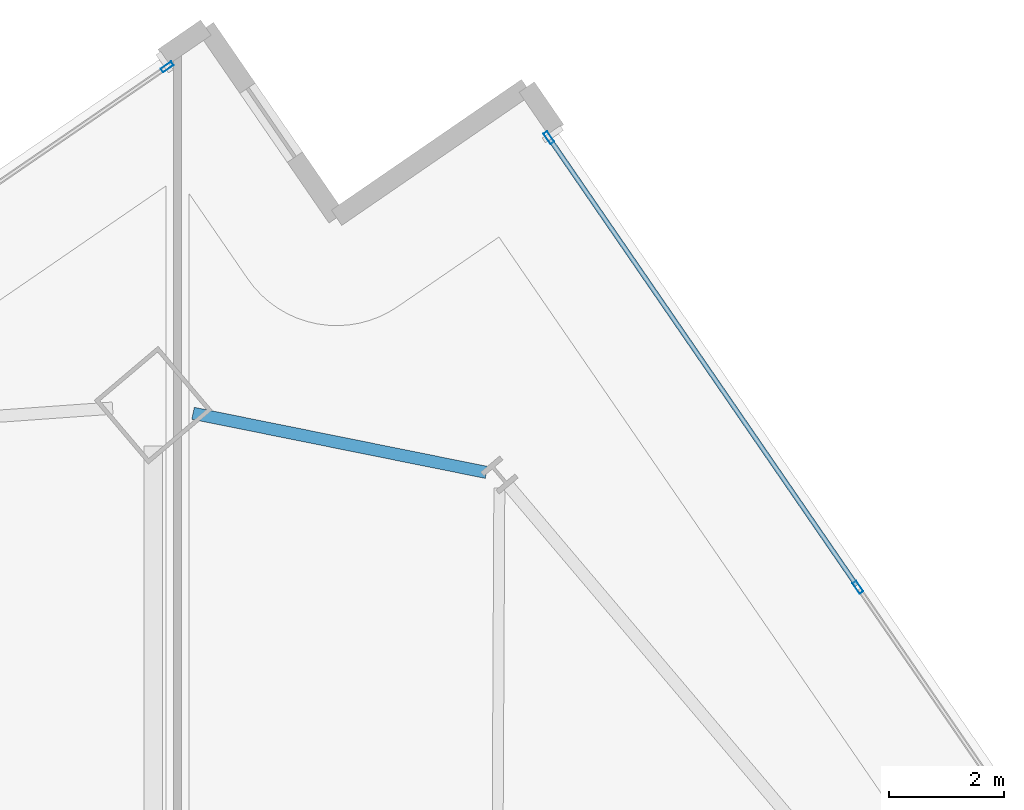
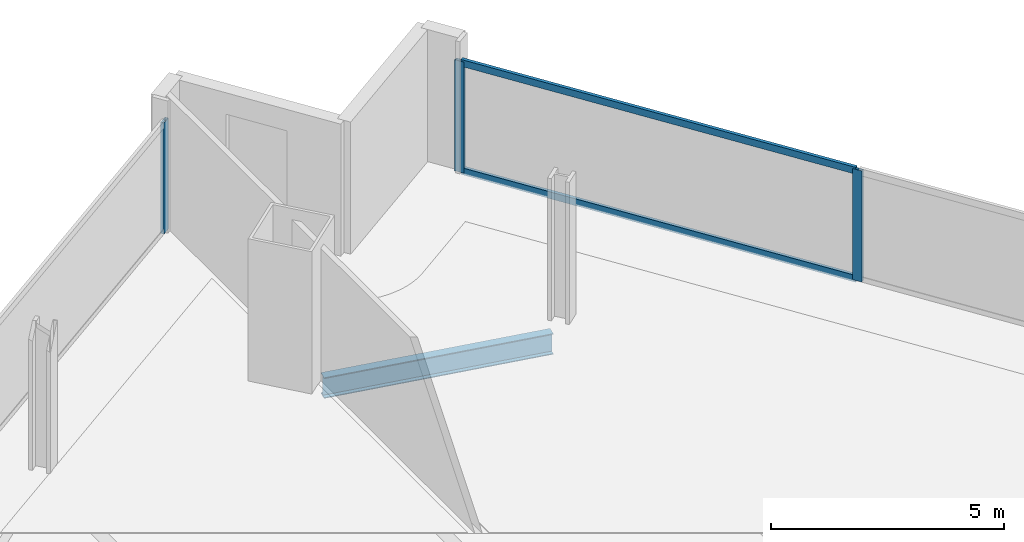
# One storey, part 19 of 29: 5 members, 1 beam, 2 elements without a shape of their own.
"""IFC4 building model written with IfcOpenShell, lengths in metres."""

from ifc_helpers import new_model, si_unit, direction, frame, origin, origin_2d, place, context, subcontext, project, spatial, hollow_rectangle, i_section, extrude, material, material_profile, profile_set, type_object, element, aggregate, save


model = new_model("IFC4")

# Units and contexts
model_context = context("Model", 3, precision=1e-05, world=origin(), true_north=direction((0.0, 1.0)))
body_context = subcontext(model_context, "Body", "Model", "MODEL_VIEW")
ifc_project = project(units=[si_unit("LENGTHUNIT", "METRE"), si_unit("AREAUNIT", "SQUARE_METRE"), si_unit("VOLUMEUNIT", "CUBIC_METRE"), si_unit("PLANEANGLEUNIT", "RADIAN"), si_unit("MASSUNIT", "GRAM", prefix="KILO")], contexts=[model_context])

# Site, building, storey
site_placement = place(None, origin())
site = spatial("IfcSite", under=ifc_project, at=site_placement, CompositionType="ELEMENT")
building_placement = place(site_placement, origin())
building = spatial("IfcBuilding", under=site, at=building_placement, Name="Haldenkirk Collegiate Tower", CompositionType="ELEMENT")
storey_placement = place(building_placement, frame((0.0, 0.0, 144.449951171875)))
storey = spatial("IfcBuildingStorey", under=building, at=storey_placement, Name="L35", CompositionType="ELEMENT", Elevation=144.449951171875)

# Beam
ifc_material_1 = material(Name="Steel ASTM A992 Grade 50", Category="steel")
ifc_material_profile_1 = material_profile(ifc_material_1, i_section(OverallWidth=0.2119140625, OverallDepth=0.5439453125, WebThickness=0.01318359375, FlangeThickness=0.021240234375, at=origin_2d()), Name="W21X83")
ifc_profile_set_1 = profile_set([ifc_material_profile_1], Name="Steel ASTM A992 Grade 50")
beam_type = type_object("IfcBeamType", Name="BM-SPANDREL-W21X83", PredefinedType="SPANDREL", material=ifc_profile_set_1)
beam_placement = place(storey_placement, frame((44.85546875, 49.910400390625, -0.56201171875), z_axis=(-0.980286465062, 0.197581493102, 0.0), x_axis=(-0.197581493102, -0.980286465062, 0.0)))
element("IfcBeam", 1, at=beam_placement, inside=storey, type_object=beam_type, Name="L35 perimeter spandrel beam 08", PredefinedType="SPANDREL", context=body_context, shape_type="SweptSolid", body=[
    extrude(i_section(OverallWidth=0.2119140625, OverallDepth=0.5439453125, WebThickness=0.01318359375, FlangeThickness=0.021240234375, at=origin_2d()), origin(), (0.0, 0.0, 1.0), 5.189697265625),
])

# Curtain wall, members
ifc_material_2 = material(Name="Anodised architectural bronze aluminium", Category="aluminium")
curtain_wall_type = type_object("IfcCurtainWallType", Name="CW-SYS1-CONVEX-LOW", PredefinedType="USERDEFINED", material=ifc_material_2)
curtain_wall_1_placement = place(storey_placement, origin())
curtain_wall_1 = element("IfcCurtainWall", 2, at=curtain_wall_1_placement, inside=storey, type_object=curtain_wall_type, Name="L35 Lower tower convex bronze-framed unitised curtain wall", ObjectType="UNITISED CURTAIN WALL", PredefinedType="USERDEFINED")
ifc_material_profile_2 = material_profile(ifc_material_2, hollow_rectangle(XDim=0.080078125, YDim=0.219970703125, WallThickness=0.0048828125, at=origin_2d()), Name="CW-MUL-1A")
ifc_profile_set_2 = profile_set([ifc_material_profile_2], Name="Anodised architectural bronze aluminium")
member_type_1 = type_object("IfcMemberType", Name="CW-MUL-1A", PredefinedType="MULLION", material=ifc_profile_set_2)
member_1_placement = place(storey_placement, frame((45.937255859375, 55.71435546875, 0.0), z_axis=(0.0, 0.0, 1.0), x_axis=(0.824126683962, 0.5664055162, 0.0)))
member_1 = element("IfcMember", 3, at=member_1_placement, type_object=member_type_1, Name="CW-1A mullion 1", PredefinedType="MULLION", context=body_context, shape_type="SweptSolid", body=[
    extrude(hollow_rectangle(XDim=0.080078125, YDim=0.219970703125, WallThickness=0.0048828125, at=origin_2d()), origin(), (0.0, 0.0, 1.0), 2.9111328125),
])
member_2_placement = place(storey_placement, frame((51.29541015625, 47.918212890625, 0.0), z_axis=(0.0, 0.0, 1.0), x_axis=(0.824126683962, 0.5664055162, 0.0)))
member_2 = element("IfcMember", 4, at=member_2_placement, type_object=member_type_1, Name="CW-1A mullion 2", PredefinedType="MULLION", context=body_context, shape_type="SweptSolid", body=[
    extrude(hollow_rectangle(XDim=0.080078125, YDim=0.219970703125, WallThickness=0.0048828125, at=origin_2d()), origin(), (0.0, 0.0, 1.0), 2.9111328125),
])

# Curtain wall, member
curtain_wall_2_placement = place(storey_placement, origin())
curtain_wall_2 = element("IfcCurtainWall", 5, at=curtain_wall_2_placement, inside=storey, type_object=curtain_wall_type, Name="L35 Lower tower convex bronze-framed unitised curtain wall", ObjectType="UNITISED CURTAIN WALL", PredefinedType="USERDEFINED")
member_3_placement = place(storey_placement, frame((39.318359375, 56.941162109375, 0.0), z_axis=(0.0, 0.0, 1.0), x_axis=(-0.566404944893, 0.82412707661, 0.0)))
member_3 = element("IfcMember", 6, at=member_3_placement, type_object=member_type_1, Name="CW-1A mullion 5", PredefinedType="MULLION", context=body_context, shape_type="SweptSolid", body=[
    extrude(hollow_rectangle(XDim=0.080078125, YDim=0.219970703125, WallThickness=0.0048828125, at=origin_2d()), origin(), (0.0, 0.0, 1.0), 2.9111328125),
])
aggregate(curtain_wall_2, [member_3])

# Member
ifc_material_profile_3 = material_profile(ifc_material_2, hollow_rectangle(XDim=0.080078125, YDim=0.179931640625, WallThickness=0.0048828125, at=origin_2d()), Name="CW-TRN-1A")
ifc_profile_set_3 = profile_set([ifc_material_profile_3], Name="Anodised architectural bronze aluminium")
member_type_2 = type_object("IfcMemberType", Name="CW-TRN-1A", PredefinedType="USERDEFINED", material=ifc_profile_set_3)
member_4_placement = place(storey_placement, frame((45.9599609375, 55.681396484375, 0.0400390625), z_axis=(0.566399572463, -0.82413076894, 0.0), x_axis=(0.82413076894, 0.566399572463, 0.0)))
member_4 = element("IfcMember", 7, at=member_4_placement, type_object=member_type_2, Name="CW-1A transom 1.1", ObjectType="TRANSOM", PredefinedType="USERDEFINED", context=body_context, shape_type="SweptSolid", body=[
    extrude(hollow_rectangle(XDim=0.080078125, YDim=0.179931640625, WallThickness=0.0048828125, at=origin_2d()), origin(), (0.0, 0.0, 1.0), 9.3798828125),
])

member_5_placement = place(storey_placement, frame((45.9599609375, 55.681396484375, 2.87109375), z_axis=(0.566399572463, -0.82413076894, 0.0), x_axis=(0.82413076894, 0.566399572463, 0.0)))
member_5 = element("IfcMember", 8, at=member_5_placement, type_object=member_type_2, Name="CW-1A transom 1.2", ObjectType="TRANSOM", PredefinedType="USERDEFINED", context=body_context, shape_type="SweptSolid", body=[
    extrude(hollow_rectangle(XDim=0.080078125, YDim=0.179931640625, WallThickness=0.0048828125, at=origin_2d()), origin(), (0.0, 0.0, 1.0), 9.3798828125),
])

aggregate(curtain_wall_1, [member_1, member_2, member_4, member_5])

save(model, "model.ifc")
